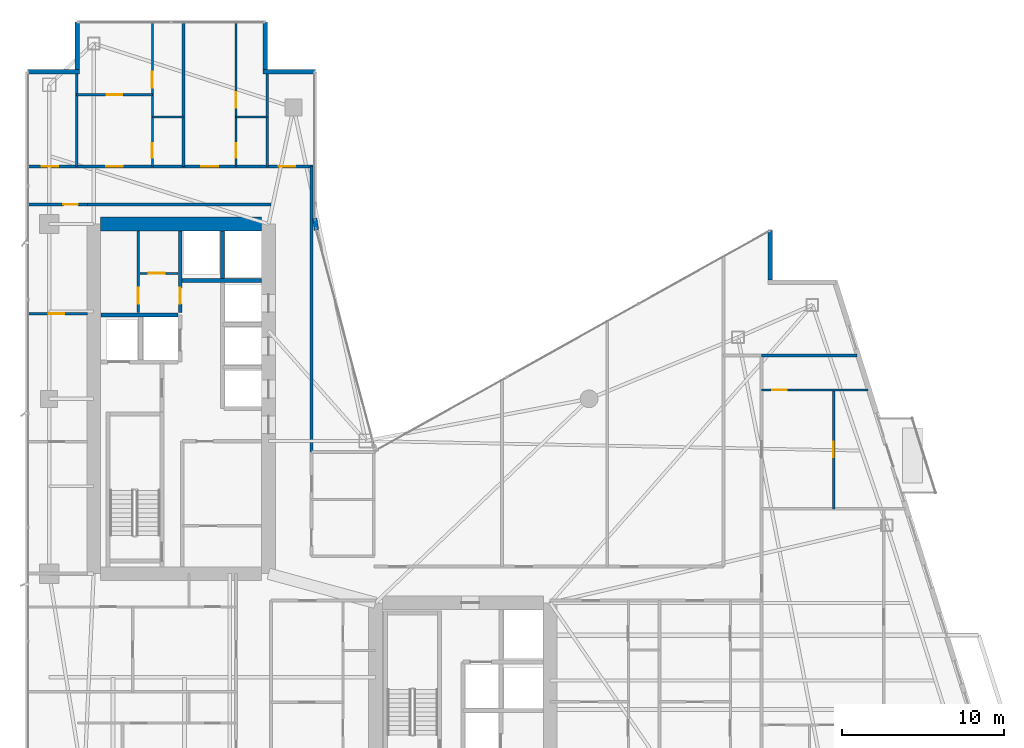
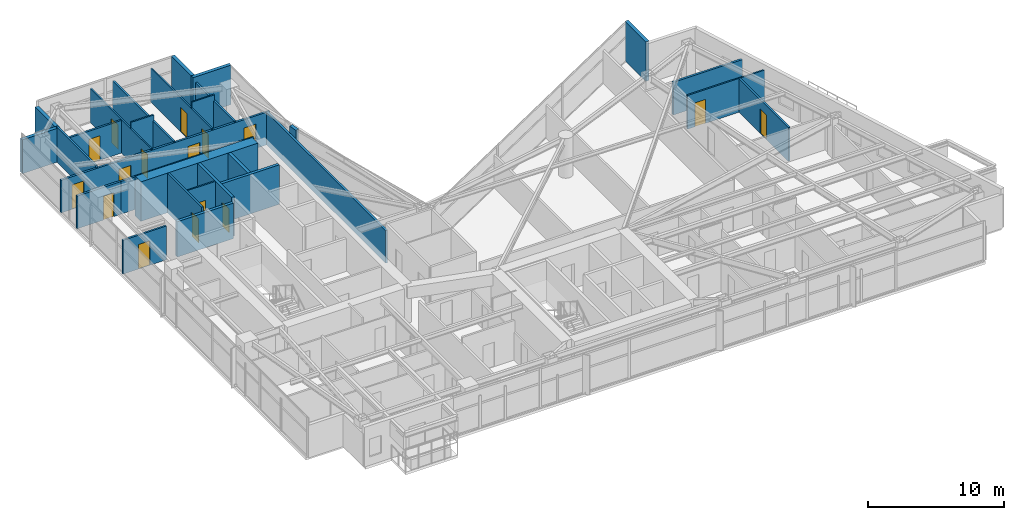
# One storey, part 25 of 29: 29 walls, 16 doors, 16 openings.
"""IFC4 building model written with IfcOpenShell, lengths in metres."""

from ifc_helpers import new_model, si_unit, direction, frame, frame_2d, origin, place, context, subcontext, project, spatial, rectangle, extrude, material, layer, layer_set, type_object, element, fill, save


model = new_model("IFC4")

# Units and contexts
model_context = context("Model", 3, precision=1e-05, world=origin(), true_north=direction((0.0, 1.0)))
body_context = subcontext(model_context, "Body", "Model", "MODEL_VIEW")
ifc_project = project(units=[si_unit("LENGTHUNIT", "METRE"), si_unit("AREAUNIT", "SQUARE_METRE"), si_unit("VOLUMEUNIT", "CUBIC_METRE"), si_unit("PLANEANGLEUNIT", "RADIAN"), si_unit("MASSUNIT", "GRAM", prefix="KILO")], contexts=[model_context])

# Site, building, storey
site_placement = place(None, origin())
site = spatial("IfcSite", under=ifc_project, at=site_placement, CompositionType="ELEMENT")
building_placement = place(site_placement, origin())
building = spatial("IfcBuilding", under=site, at=building_placement, Name="Calvorn Quay Hotel", CompositionType="ELEMENT")
storey_placement = place(building_placement, frame((0.0, 0.0, 163.699951171875)))
storey = spatial("IfcBuildingStorey", under=building, at=storey_placement, Name="L40", CompositionType="ELEMENT", Elevation=163.699951171875)

# Wall
ifc_material_1 = material(Name="Concrete C50", Category="concrete")
ifc_layer_1 = layer(ifc_material_1, 0.85009765625)
ifc_layer_set_1 = layer_set([ifc_layer_1], Name="WL-CORE-850")
wall_type_1 = type_object("IfcWallType", Name="WL-CORE-850", PredefinedType="SHEAR", material=ifc_layer_set_1)
wall_1_placement = place(storey_placement, frame((4.625, 38.39990234375, 0.0), z_axis=(0.0, 0.0, 1.0), x_axis=(1.0, 0.0, 0.0)))
element("IfcWall", 1, at=wall_1_placement, inside=storey, type_object=wall_type_1, Name="West Core Shear Wall N (L40)", PredefinedType="SHEAR", context=body_context, shape_type="SweptSolid", body=[
    extrude(rectangle(XDim=9.949951171875, YDim=0.85009765625, at=frame_2d((4.97509765625, 0.0))), origin(), (0.0, 0.0, 1.0), 3.56005859375),
])

# Wall, opening, door
ifc_material_2 = material(Name="Acoustic Fireboard Steel-Stud Partition", Category="steel")
ifc_layer_2 = layer(ifc_material_2, 0.179931640625)
ifc_layer_set_2 = layer_set([ifc_layer_2], Name="WL-CORR-FIRE-180")
wall_type_2 = type_object("IfcWallType", Name="WL-CORR-FIRE-180", PredefinedType="PARTITIONING", material=ifc_layer_set_2)
wall_2_placement = place(storey_placement, frame((0.080078125, 39.60009765625, 0.0), z_axis=(0.0, 0.0, 1.0), x_axis=(1.0, 0.0, 0.0)))
wall_2 = element("IfcWall", 2, at=wall_2_placement, inside=storey, type_object=wall_type_2, Name="Partition Wall L40-WL-WBAY-N-DOOR", PredefinedType="PARTITIONING", context=body_context, shape_type="SweptSolid", body=[
    extrude(rectangle(XDim=3.724853515625, YDim=0.179931640625, at=frame_2d((1.8623046875, 0.0))), origin(), (0.0, 0.0, 1.0), 2.93994140625),
])
opening_1_placement = place(wall_2_placement, frame((2.25, 0.0, 0.0)))
opening_1 = element("IfcOpeningElement", 3, at=opening_1_placement, cuts=wall_2, Name="Opening D-L40-WBN", PredefinedType="OPENING", context=body_context, shape_type="SweptSolid", body=[
    extrude(rectangle(XDim=0.89990234375, YDim=2.14990234375, at=frame_2d((0.449951171875, 1.074951171875))), frame((0.0, 0.099853515625, 0.0), z_axis=(0.0, -1.0, 0.0), x_axis=(1.0, 0.0, 0.0)), (0.0, 0.0, 1.0), 0.199951171875),
])
ifc_material_3 = material(Name="Moisture-Sealed Timber En-Suite Door", Category="wood")
door_type_1 = type_object("IfcDoorType", Name="DR-ENSUITE-900", OperationType="NOTDEFINED", PredefinedType="DOOR", material=ifc_material_3)
door_1_placement = place(opening_1_placement, origin())
door_1 = element("IfcDoor", 4, at=door_1_placement, inside=storey, type_object=door_type_1, Name="West North Bay Door (L40)", OperationType="SINGLE_SWING_LEFT", OverallHeight=2.14990234375, OverallWidth=0.89990234375, PredefinedType="DOOR", context=body_context, shape_type="SweptSolid", body=[
    extrude(rectangle(XDim=0.89990234375, YDim=2.14990234375, at=frame_2d((0.449951171875, 1.074951171875))), frame((0.0, 0.02490234375, 0.0), z_axis=(0.0, -1.0, 0.0), x_axis=(1.0, 0.0, 0.0)), (0.0, 0.0, 1.0), 0.050048828125),
])
fill(opening_1, door_1)

# Wall, openings, doors
wall_3_placement = place(storey_placement, frame((0.080078125, 41.949951171875, 0.0), z_axis=(0.0, 0.0, 1.0), x_axis=(1.0, 0.0, 0.0)))
wall_3 = element("IfcWall", 5, at=wall_3_placement, inside=storey, type_object=wall_type_2, Name="Partition Wall L40-WL-CORR-NW-N", PredefinedType="PARTITIONING", context=body_context, shape_type="SweptSolid", body=[
    extrude(rectangle(XDim=17.77001953125, YDim=0.179931640625, at=frame_2d((8.885009765625, 0.0))), origin(), (0.0, 0.0, 1.0), 2.93994140625),
])
opening_2_placement = place(wall_3_placement, frame((0.89990234375, 0.0, 0.0)))
opening_2 = element("IfcOpeningElement", 6, at=opening_2_placement, cuts=wall_3, Name="Opening D-L40-NWW", PredefinedType="OPENING", context=body_context, shape_type="SweptSolid", body=[
    extrude(rectangle(XDim=1.02001953125, YDim=2.199951171875, at=frame_2d((0.510009765625, 1.10009765625))), frame((0.0, 0.099853515625, 0.0), z_axis=(0.0, -1.0, 0.0), x_axis=(1.0, 0.0, 0.0)), (0.0, 0.0, 1.0), 0.199951171875),
])
opening_3_placement = place(wall_3_placement, frame((4.89990234375, 0.0, 0.0)))
opening_3 = element("IfcOpeningElement", 7, at=opening_3_placement, cuts=wall_3, Name="Opening D-L40-U04", PredefinedType="OPENING", context=body_context, shape_type="SweptSolid", body=[
    extrude(rectangle(XDim=1.02001953125, YDim=2.199951171875, at=frame_2d((0.510009765625, 1.10009765625))), frame((0.0, 0.099853515625, 0.0), z_axis=(0.0, -1.0, 0.0), x_axis=(1.0, 0.0, 0.0)), (0.0, 0.0, 1.0), 0.199951171875),
])
opening_4_placement = place(wall_3_placement, frame((10.780029296875, 0.0, 0.0)))
opening_4 = element("IfcOpeningElement", 8, at=opening_4_placement, cuts=wall_3, Name="Opening D-L40-U05", PredefinedType="OPENING", context=body_context, shape_type="SweptSolid", body=[
    extrude(rectangle(XDim=1.02001953125, YDim=2.199951171875, at=frame_2d((0.510009765625, 1.10009765625))), frame((0.0, 0.099853515625, 0.0), z_axis=(0.0, -1.0, 0.0), x_axis=(1.0, 0.0, 0.0)), (0.0, 0.0, 1.0), 0.199951171875),
])
opening_5_placement = place(wall_3_placement, frame((15.550048828125, 0.0, 0.0)))
opening_5 = element("IfcOpeningElement", 9, at=opening_5_placement, cuts=wall_3, Name="Opening D-L40-NWE", PredefinedType="OPENING", context=body_context, shape_type="SweptSolid", body=[
    extrude(rectangle(XDim=1.02001953125, YDim=2.199951171875, at=frame_2d((0.510009765625, 1.10009765625))), frame((0.0, 0.099853515625, 0.0), z_axis=(0.0, -1.0, 0.0), x_axis=(1.0, 0.0, 0.0)), (0.0, 0.0, 1.0), 0.199951171875),
])
ifc_material_4 = material(Name="Solid-Core Walnut Veneer Hotel Fire Door")
door_type_2 = type_object("IfcDoorType", Name="DR-GUEST-ENTRY-1020", OperationType="NOTDEFINED", PredefinedType="DOOR", material=ifc_material_4)
door_2_placement = place(opening_2_placement, origin())
door_2 = element("IfcDoor", 10, at=door_2_placement, inside=storey, type_object=door_type_2, Name="West Corner Study Door (L40)", OperationType="SINGLE_SWING_LEFT", OverallHeight=2.199951171875, OverallWidth=1.02001953125, PredefinedType="DOOR", context=body_context, shape_type="SweptSolid", body=[
    extrude(rectangle(XDim=1.02001953125, YDim=2.199951171875, at=frame_2d((0.510009765625, 1.10009765625))), frame((0.0, 0.02490234375, 0.0), z_axis=(0.0, -1.0, 0.0), x_axis=(1.0, 0.0, 0.0)), (0.0, 0.0, 1.0), 0.050048828125),
])
fill(opening_2, door_2)
door_3_placement = place(opening_3_placement, origin())
door_3 = element("IfcDoor", 11, at=door_3_placement, inside=storey, type_object=door_type_2, Name="North-West Unit Door U04 (L40)", OperationType="SINGLE_SWING_RIGHT", OverallHeight=2.199951171875, OverallWidth=1.02001953125, PredefinedType="DOOR", context=body_context, shape_type="SweptSolid", body=[
    extrude(rectangle(XDim=1.02001953125, YDim=2.199951171875, at=frame_2d((0.510009765625, 1.10009765625))), frame((0.0, 0.02490234375, 0.0), z_axis=(0.0, -1.0, 0.0), x_axis=(1.0, 0.0, 0.0)), (0.0, 0.0, 1.0), 0.050048828125),
])
fill(opening_3, door_3)
door_4_placement = place(opening_4_placement, origin())
door_4 = element("IfcDoor", 12, at=door_4_placement, inside=storey, type_object=door_type_2, Name="North-West Unit Door U05 (L40)", OperationType="SINGLE_SWING_LEFT", OverallHeight=2.199951171875, OverallWidth=1.02001953125, PredefinedType="DOOR", context=body_context, shape_type="SweptSolid", body=[
    extrude(rectangle(XDim=1.02001953125, YDim=2.199951171875, at=frame_2d((0.510009765625, 1.10009765625))), frame((0.0, 0.02490234375, 0.0), z_axis=(0.0, -1.0, 0.0), x_axis=(1.0, 0.0, 0.0)), (0.0, 0.0, 1.0), 0.050048828125),
])
fill(opening_4, door_4)
door_5_placement = place(opening_5_placement, origin())
door_5 = element("IfcDoor", 13, at=door_5_placement, inside=storey, type_object=door_type_2, Name="Inner Court Study Door (L40)", OperationType="SINGLE_SWING_RIGHT", OverallHeight=2.199951171875, OverallWidth=1.02001953125, PredefinedType="DOOR", context=body_context, shape_type="SweptSolid", body=[
    extrude(rectangle(XDim=1.02001953125, YDim=2.199951171875, at=frame_2d((0.510009765625, 1.10009765625))), frame((0.0, 0.02490234375, 0.0), z_axis=(0.0, -1.0, 0.0), x_axis=(1.0, 0.0, 0.0)), (0.0, 0.0, 1.0), 0.050048828125),
])
fill(opening_5, door_5)

# Walls
wall_4_placement = place(storey_placement, frame((17.64990234375, 24.300048828125, 0.0), z_axis=(0.0, 0.0, 1.0), x_axis=(0.0, 1.0, 0.0)))
element("IfcWall", 14, at=wall_4_placement, inside=storey, type_object=wall_type_2, Name="Partition Wall L40-WL-NW-CLOSURE-E", PredefinedType="PARTITIONING", context=body_context, shape_type="SweptSolid", body=[
    extrude(rectangle(XDim=17.64990234375, YDim=0.179931640625, at=frame_2d((8.824951171875, 0.0))), origin(), (0.0, 0.0, 1.0), 2.93994140625),
])
wall_5_placement = place(storey_placement, frame((3.7548828125, 39.60009765625, 0.0), z_axis=(0.0, 0.0, 1.0), x_axis=(1.0, 0.0, 0.0)))
element("IfcWall", 15, at=wall_5_placement, inside=storey, type_object=wall_type_2, Name="Partition Wall L40-WL-W-SPUR-S", PredefinedType="PARTITIONING", context=body_context, shape_type="SweptSolid", body=[
    extrude(rectangle(XDim=11.39501953125, YDim=0.179931640625, at=frame_2d((5.697509765625, 0.0))), origin(), (0.0, 0.0, 1.0), 2.93994140625),
])
wall_6_placement = place(storey_placement, frame((45.449951171875, 30.280029296875, 0.0), z_axis=(0.0, 0.0, 1.0), x_axis=(1.0, 0.0, 0.0)))
element("IfcWall", 16, at=wall_6_placement, inside=storey, type_object=wall_type_2, Name="Partition Wall L40-WL-TIP-N", PredefinedType="PARTITIONING", context=body_context, shape_type="SweptSolid", body=[
    extrude(rectangle(XDim=5.91015625, YDim=0.179931640625, at=frame_2d((2.955078125, 0.0))), origin(), (0.0, 0.0, 1.0), 2.93994140625),
])

# Wall, opening, door
ifc_material_5 = material(Name="Moisture-Resistant Tile-Backed Partition")
ifc_layer_3 = layer(ifc_material_5, 0.125)
ifc_layer_set_3 = layer_set([ifc_layer_3], Name="WL-ENSUITE-125")
wall_type_3 = type_object("IfcWallType", Name="WL-ENSUITE-125", PredefinedType="PARTITIONING", material=ifc_layer_set_3)
wall_7_placement = place(storey_placement, frame((7.050048828125, 35.35009765625, 0.0), z_axis=(0.0, 0.0, 1.0), x_axis=(1.0, 0.0, 0.0)))
wall_7 = element("IfcWall", 17, at=wall_7_placement, inside=storey, type_object=wall_type_3, Name="Partition Wall L40-WL-CWW-K-H", PredefinedType="PARTITIONING", context=body_context, shape_type="SweptSolid", body=[
    extrude(rectangle(XDim=2.369873046875, YDim=0.125, at=frame_2d((1.18505859375, 0.0))), origin(), (0.0, 0.0, 1.0), 3.56005859375),
])
opening_6_placement = place(wall_7_placement, frame((0.550048828125, 0.0, 0.0)))
opening_6 = element("IfcOpeningElement", 18, at=opening_6_placement, cuts=wall_7, Name="Opening D-L40-CK3", PredefinedType="OPENING", context=body_context, shape_type="SweptSolid", body=[
    extrude(rectangle(XDim=0.97998046875, YDim=2.14990234375, at=frame_2d((0.489990234375, 1.074951171875))), frame((0.0, 0.072509765625, 0.0), z_axis=(0.0, -1.0, 0.0), x_axis=(1.0, 0.0, 0.0)), (0.0, 0.0, 1.0), 0.14501953125),
])
ifc_material_6 = material(Name="Painted Steel Housekeeping/Riser Fire Door", Category="steel")
door_type_3 = type_object("IfcDoorType", Name="DR-SERVICE-980", OperationType="NOTDEFINED", PredefinedType="DOOR", material=ifc_material_6)
door_6_placement = place(opening_6_placement, origin())
door_6 = element("IfcDoor", 19, at=door_6_placement, inside=storey, type_object=door_type_3, Name="Telecom Closet Door (L40)", OperationType="SINGLE_SWING_RIGHT", OverallHeight=2.14990234375, OverallWidth=0.97998046875, PredefinedType="DOOR", context=body_context, shape_type="SweptSolid", body=[
    extrude(rectangle(XDim=0.97998046875, YDim=2.14990234375, at=frame_2d((0.489990234375, 1.074951171875))), frame((0.0, 0.02490234375, 0.0), z_axis=(0.0, -1.0, 0.0), x_axis=(1.0, 0.0, 0.0)), (0.0, 0.0, 1.0), 0.050048828125),
])
fill(opening_6, door_6)

# Wall
wall_8_placement = place(storey_placement, frame((7.820068359375, 45.02001953125, 0.0), z_axis=(0.0, 0.0, 1.0), x_axis=(1.0, 0.0, 0.0)))
element("IfcWall", 20, at=wall_8_placement, inside=storey, type_object=wall_type_3, Name="Partition Wall L40-WL-U04-BDV", PredefinedType="PARTITIONING", context=body_context, shape_type="SweptSolid", body=[
    extrude(rectangle(XDim=1.929931640625, YDim=0.125, at=frame_2d((0.96484375, 0.0))), origin(), (0.0, 0.0, 1.0), 3.56005859375),
])

# Wall, openings, doors
wall_9_placement = place(storey_placement, frame((7.820068359375, 41.949951171875, 0.0), z_axis=(0.0, 0.0, 1.0), x_axis=(0.0, 1.0, 0.0)))
wall_9 = element("IfcWall", 21, at=wall_9_placement, inside=storey, type_object=wall_type_3, Name="Partition Wall L40-WL-U04-BV", PredefinedType="PARTITIONING", context=body_context, shape_type="SweptSolid", body=[
    extrude(rectangle(XDim=8.989990234375, YDim=0.125, at=frame_2d((4.4951171875, 0.0))), origin(), (0.0, 0.0, 1.0), 3.0400390625),
])
opening_7_placement = place(wall_9_placement, frame((0.550048828125, 0.0, 0.0)))
opening_7 = element("IfcOpeningElement", 22, at=opening_7_placement, cuts=wall_9, Name="Opening D-L40-E04", PredefinedType="OPENING", context=body_context, shape_type="SweptSolid", body=[
    extrude(rectangle(XDim=0.89990234375, YDim=2.14990234375, at=frame_2d((0.449951171875, 1.074951171875))), frame((0.0, 0.072509765625, 0.0), z_axis=(0.0, -1.0, 0.0), x_axis=(1.0, 0.0, 0.0)), (0.0, 0.0, 1.0), 0.14501953125),
])
opening_8_placement = place(wall_9_placement, frame((4.8798828125, 0.0, 0.0)))
opening_8 = element("IfcOpeningElement", 23, at=opening_8_placement, cuts=wall_9, Name="Opening D-L40-S04", PredefinedType="OPENING", context=body_context, shape_type="SweptSolid", body=[
    extrude(rectangle(XDim=0.9599609375, YDim=2.199951171875, at=frame_2d((0.47998046875, 1.10009765625))), frame((0.0, 0.072509765625, 0.0), z_axis=(0.0, -1.0, 0.0), x_axis=(1.0, 0.0, 0.0)), (0.0, 0.0, 1.0), 0.14501953125),
])
door_7_placement = place(opening_7_placement, origin())
door_7 = element("IfcDoor", 24, at=door_7_placement, inside=storey, type_object=door_type_1, Name="En-Suite Door 04", OperationType="SINGLE_SWING_LEFT", OverallHeight=2.14990234375, OverallWidth=0.89990234375, PredefinedType="DOOR", context=body_context, shape_type="SweptSolid", body=[
    extrude(rectangle(XDim=0.89990234375, YDim=2.14990234375, at=frame_2d((0.449951171875, 1.074951171875))), frame((0.0, 0.02490234375, 0.0), z_axis=(0.0, -1.0, 0.0), x_axis=(1.0, 0.0, 0.0)), (0.0, 0.0, 1.0), 0.050048828125),
])
fill(opening_7, door_7)
ifc_material_7 = material(Name="Solid Timber Internal Suite Door", Category="wood")
door_type_4 = type_object("IfcDoorType", Name="DR-SUITE-INT-960", OperationType="NOTDEFINED", PredefinedType="DOOR", material=ifc_material_7)
door_8_placement = place(opening_8_placement, origin())
door_8 = element("IfcDoor", 25, at=door_8_placement, inside=storey, type_object=door_type_4, Name="Botanical Winter Garden Door 04", OperationType="SINGLE_SWING_RIGHT", OverallHeight=2.199951171875, OverallWidth=0.9599609375, PredefinedType="DOOR", context=body_context, shape_type="SweptSolid", body=[
    extrude(rectangle(XDim=0.9599609375, YDim=2.199951171875, at=frame_2d((0.47998046875, 1.10009765625))), frame((0.0, 0.02490234375, 0.0), z_axis=(0.0, -1.0, 0.0), x_axis=(1.0, 0.0, 0.0)), (0.0, 0.0, 1.0), 0.050048828125),
])
fill(opening_8, door_8)

# Wall
wall_10_placement = place(storey_placement, frame((12.989990234375, 45.02001953125, 0.0), z_axis=(0.0, 0.0, 1.0), x_axis=(1.0, 0.0, 0.0)))
element("IfcWall", 26, at=wall_10_placement, inside=storey, type_object=wall_type_3, Name="Partition Wall L40-WL-U05-BDV", PredefinedType="PARTITIONING", context=body_context, shape_type="SweptSolid", body=[
    extrude(rectangle(XDim=1.929931640625, YDim=0.125, at=frame_2d((0.96484375, 0.0))), origin(), (0.0, 0.0, 1.0), 3.56005859375),
])

# Wall, openings, doors
wall_11_placement = place(storey_placement, frame((12.989990234375, 41.949951171875, 0.0), z_axis=(0.0, 0.0, 1.0), x_axis=(0.0, 1.0, 0.0)))
wall_11 = element("IfcWall", 27, at=wall_11_placement, inside=storey, type_object=wall_type_3, Name="Partition Wall L40-WL-U05-BV", PredefinedType="PARTITIONING", context=body_context, shape_type="SweptSolid", body=[
    extrude(rectangle(XDim=8.989990234375, YDim=0.125, at=frame_2d((4.4951171875, 0.0))), origin(), (0.0, 0.0, 1.0), 3.0400390625),
])
opening_9_placement = place(wall_11_placement, frame((0.550048828125, 0.0, 0.0)))
opening_9 = element("IfcOpeningElement", 28, at=opening_9_placement, cuts=wall_11, Name="Opening D-L40-E05", PredefinedType="OPENING", context=body_context, shape_type="SweptSolid", body=[
    extrude(rectangle(XDim=0.89990234375, YDim=2.14990234375, at=frame_2d((0.449951171875, 1.074951171875))), frame((0.0, 0.072509765625, 0.0), z_axis=(0.0, -1.0, 0.0), x_axis=(1.0, 0.0, 0.0)), (0.0, 0.0, 1.0), 0.14501953125),
])
opening_10_placement = place(wall_11_placement, frame((3.6201171875, 0.0, 0.0)))
opening_10 = element("IfcOpeningElement", 29, at=opening_10_placement, cuts=wall_11, Name="Opening D-L40-S05", PredefinedType="OPENING", context=body_context, shape_type="SweptSolid", body=[
    extrude(rectangle(XDim=0.9599609375, YDim=2.199951171875, at=frame_2d((0.47998046875, 1.10009765625))), frame((0.0, 0.072509765625, 0.0), z_axis=(0.0, -1.0, 0.0), x_axis=(1.0, 0.0, 0.0)), (0.0, 0.0, 1.0), 0.14501953125),
])
door_9_placement = place(opening_9_placement, origin())
door_9 = element("IfcDoor", 30, at=door_9_placement, inside=storey, type_object=door_type_1, Name="En-Suite Door 05", OperationType="SINGLE_SWING_LEFT", OverallHeight=2.14990234375, OverallWidth=0.89990234375, PredefinedType="DOOR", context=body_context, shape_type="SweptSolid", body=[
    extrude(rectangle(XDim=0.89990234375, YDim=2.14990234375, at=frame_2d((0.449951171875, 1.074951171875))), frame((0.0, 0.02490234375, 0.0), z_axis=(0.0, -1.0, 0.0), x_axis=(1.0, 0.0, 0.0)), (0.0, 0.0, 1.0), 0.050048828125),
])
fill(opening_9, door_9)
door_10_placement = place(opening_10_placement, origin())
door_10 = element("IfcDoor", 31, at=door_10_placement, inside=storey, type_object=door_type_4, Name="Botanical Winter Garden Door 05", OperationType="SINGLE_SWING_RIGHT", OverallHeight=2.199951171875, OverallWidth=0.9599609375, PredefinedType="DOOR", context=body_context, shape_type="SweptSolid", body=[
    extrude(rectangle(XDim=0.9599609375, YDim=2.199951171875, at=frame_2d((0.47998046875, 1.10009765625))), frame((0.0, 0.02490234375, 0.0), z_axis=(0.0, -1.0, 0.0), x_axis=(1.0, 0.0, 0.0)), (0.0, 0.0, 1.0), 0.050048828125),
])
fill(opening_10, door_10)

# Wall, opening, door
wall_12_placement = place(storey_placement, frame((45.449951171875, 28.14990234375, 0.0), z_axis=(0.0, 0.0, 1.0), x_axis=(1.0, 0.0, 0.0)))
wall_12 = element("IfcWall", 32, at=wall_12_placement, inside=storey, type_object=wall_type_3, Name="Partition Wall L40-WL-U09-BH", PredefinedType="PARTITIONING", context=body_context, shape_type="SweptSolid", body=[
    extrude(rectangle(XDim=6.580078125, YDim=0.125, at=frame_2d((3.2900390625, 0.0))), origin(), (0.0, 0.0, 1.0), 3.0400390625),
])
opening_11_placement = place(wall_12_placement, frame((0.64990234375, 0.0, 0.0)))
opening_11 = element("IfcOpeningElement", 33, at=opening_11_placement, cuts=wall_12, Name="Opening D-L40-E09", PredefinedType="OPENING", context=body_context, shape_type="SweptSolid", body=[
    extrude(rectangle(XDim=0.89990234375, YDim=2.14990234375, at=frame_2d((0.449951171875, 1.074951171875))), frame((0.0, 0.072509765625, 0.0), z_axis=(0.0, -1.0, 0.0), x_axis=(1.0, 0.0, 0.0)), (0.0, 0.0, 1.0), 0.14501953125),
])
door_11_placement = place(opening_11_placement, origin())
door_11 = element("IfcDoor", 34, at=door_11_placement, inside=storey, type_object=door_type_1, Name="En-Suite Door 09", OperationType="SINGLE_SWING_LEFT", OverallHeight=2.14990234375, OverallWidth=0.89990234375, PredefinedType="DOOR", context=body_context, shape_type="SweptSolid", body=[
    extrude(rectangle(XDim=0.89990234375, YDim=2.14990234375, at=frame_2d((0.449951171875, 1.074951171875))), frame((0.0, 0.02490234375, 0.0), z_axis=(0.0, -1.0, 0.0), x_axis=(1.0, 0.0, 0.0)), (0.0, 0.0, 1.0), 0.050048828125),
])
fill(opening_11, door_11)

# Walls
ifc_material_8 = material(Name="Concrete C40", Category="concrete")
ifc_layer_4 = layer(ifc_material_8, 0.320068359375)
ifc_layer_set_4 = layer_set([ifc_layer_4], Name="WL-EXT-SPANDREL-320")
wall_type_4 = type_object("IfcWallType", Name="WL-EXT-SPANDREL-320", PredefinedType="SOLIDWALL", material=ifc_layer_set_4)
wall_13_placement = place(storey_placement, frame((17.9619140625, 38.030029296875, 0.0), z_axis=(0.0, 0.0, 1.0), x_axis=(-0.15141125477, 0.988470855377, 0.0)))
element("IfcWall", 35, at=wall_13_placement, inside=storey, type_object=wall_type_4, Name="Inner Court Corner Pier L40-ICJ2", PredefinedType="SOLIDWALL", context=body_context, shape_type="SweptSolid", body=[
    extrude(rectangle(XDim=0.738525390625, YDim=0.280029296875, at=frame_2d((0.369140625, 0.0))), origin(), (0.0, 0.0, 1.0), 3.56005859375),
])
wall_14_placement = place(storey_placement, frame((46.0, 34.93994140625, 0.0), z_axis=(0.0, 0.0, 1.0), x_axis=(0.0, 1.0, 0.0)))
element("IfcWall", 36, at=wall_14_placement, inside=storey, type_object=wall_type_4, Name="Notched Corner Spandrel L40-NE2", PredefinedType="SOLIDWALL", context=body_context, shape_type="SweptSolid", body=[
    extrude(rectangle(XDim=3.10009765625, YDim=0.280029296875, at=frame_2d((1.550048828125, 0.0))), origin(), (0.0, 0.0, 1.0), 3.56005859375),
])
wall_15_placement = place(storey_placement, frame((17.89990234375, 47.800048828125, 0.0), z_axis=(0.0, 0.0, 1.0), x_axis=(-1.0, 0.0, 0.0)))
element("IfcWall", 37, at=wall_15_placement, inside=storey, type_object=wall_type_4, Name="Notched Corner Spandrel L40-NWE1", PredefinedType="SOLIDWALL", context=body_context, shape_type="SweptSolid", body=[
    extrude(rectangle(XDim=3.239990234375, YDim=0.280029296875, at=frame_2d((1.6201171875, 0.0))), origin(), (0.0, 0.0, 1.0), 3.56005859375),
])
wall_16_placement = place(storey_placement, frame((14.800048828125, 47.93994140625, 0.0), z_axis=(0.0, 0.0, 1.0), x_axis=(0.0, 1.0, 0.0)))
element("IfcWall", 38, at=wall_16_placement, inside=storey, type_object=wall_type_4, Name="Notched Corner Spandrel L40-NWE2", PredefinedType="SOLIDWALL", context=body_context, shape_type="SweptSolid", body=[
    extrude(rectangle(XDim=2.93994140625, YDim=0.280029296875, at=frame_2d((1.469970703125, 0.0))), origin(), (0.0, 0.0, 1.0), 3.56005859375),
])
wall_17_placement = place(storey_placement, frame((3.199951171875, 50.8798828125, 0.0), z_axis=(0.0, 0.0, 1.0), x_axis=(0.0, -1.0, 0.0)))
element("IfcWall", 39, at=wall_17_placement, inside=storey, type_object=wall_type_4, Name="Notched Corner Spandrel L40-NW1", PredefinedType="SOLIDWALL", context=body_context, shape_type="SweptSolid", body=[
    extrude(rectangle(XDim=2.93994140625, YDim=0.280029296875, at=frame_2d((1.469970703125, 0.0))), origin(), (0.0, 0.0, 1.0), 3.0400390625),
])
wall_18_placement = place(storey_placement, frame((3.340087890625, 47.800048828125, 0.0), z_axis=(0.0, 0.0, 1.0), x_axis=(-1.0, 0.0, 0.0)))
element("IfcWall", 40, at=wall_18_placement, inside=storey, type_object=wall_type_4, Name="Notched Corner Spandrel L40-NW2", PredefinedType="SOLIDWALL", context=body_context, shape_type="SweptSolid", body=[
    extrude(rectangle(XDim=3.219970703125, YDim=0.280029296875, at=frame_2d((1.60986328125, 0.0))), origin(), (0.0, 0.0, 1.0), 3.0400390625),
])

# Wall, opening, door
ifc_material_9 = material(Name="Double-Stud Acoustic Gypsum Partition")
ifc_layer_5 = layer(ifc_material_9, 0.159912109375)
ifc_layer_set_5 = layer_set([ifc_layer_5], Name="WL-INTERSUITE-160")
wall_type_5 = type_object("IfcWallType", Name="WL-INTERSUITE-160", PredefinedType="PARTITIONING", material=ifc_layer_set_5)
wall_19_placement = place(storey_placement, frame((6.949951171875, 32.919921875, 0.0), z_axis=(0.0, 0.0, 1.0), x_axis=(0.0, 1.0, 0.0)))
wall_19 = element("IfcWall", 41, at=wall_19_placement, inside=storey, type_object=wall_type_5, Name="Partition Wall L40-WL-CWW-K-V", PredefinedType="PARTITIONING", context=body_context, shape_type="SweptSolid", body=[
    extrude(rectangle(XDim=5.03515625, YDim=0.159912109375, at=frame_2d((2.517578125, 0.0))), origin(), (0.0, 0.0, 1.0), 3.56005859375),
])
opening_12_placement = place(wall_19_placement, frame((0.550048828125, 0.0, 0.0)))
opening_12 = element("IfcOpeningElement", 42, at=opening_12_placement, cuts=wall_19, Name="Opening D-L40-CK1", PredefinedType="OPENING", context=body_context, shape_type="SweptSolid", body=[
    extrude(rectangle(XDim=0.97998046875, YDim=2.14990234375, at=frame_2d((0.489990234375, 1.074951171875))), frame((0.0, 0.08984375, 0.0), z_axis=(0.0, -1.0, 0.0), x_axis=(1.0, 0.0, 0.0)), (0.0, 0.0, 1.0), 0.179931640625),
])
door_12_placement = place(opening_12_placement, origin())
door_12 = element("IfcDoor", 43, at=door_12_placement, inside=storey, type_object=door_type_3, Name="Pipe Riser Door (L40)", OperationType="SINGLE_SWING_LEFT", OverallHeight=2.14990234375, OverallWidth=0.97998046875, PredefinedType="DOOR", context=body_context, shape_type="SweptSolid", body=[
    extrude(rectangle(XDim=0.97998046875, YDim=2.14990234375, at=frame_2d((0.489990234375, 1.074951171875))), frame((0.0, 0.02490234375, 0.0), z_axis=(0.0, -1.0, 0.0), x_axis=(1.0, 0.0, 0.0)), (0.0, 0.0, 1.0), 0.050048828125),
])
fill(opening_12, door_12)

wall_20_placement = place(storey_placement, frame((0.080078125, 32.85009765625, 0.0), z_axis=(0.0, 0.0, 1.0), x_axis=(1.0, 0.0, 0.0)))
wall_20 = element("IfcWall", 44, at=wall_20_placement, inside=storey, type_object=wall_type_5, Name="Partition Wall L40-WL-WBAY-DIVB", PredefinedType="PARTITIONING", context=body_context, shape_type="SweptSolid", body=[
    extrude(rectangle(XDim=3.724853515625, YDim=0.159912109375, at=frame_2d((1.8623046875, 0.0))), origin(), (0.0, 0.0, 1.0), 3.0400390625),
])
opening_13_placement = place(wall_20_placement, frame((1.35009765625, 0.0, 0.0)))
opening_13 = element("IfcOpeningElement", 45, at=opening_13_placement, cuts=wall_20, Name="Opening D-L40-WBB", PredefinedType="OPENING", context=body_context, shape_type="SweptSolid", body=[
    extrude(rectangle(XDim=0.9599609375, YDim=2.199951171875, at=frame_2d((0.47998046875, 1.10009765625))), frame((0.0, 0.08984375, 0.0), z_axis=(0.0, -1.0, 0.0), x_axis=(1.0, 0.0, 0.0)), (0.0, 0.0, 1.0), 0.179931640625),
])
door_13_placement = place(opening_13_placement, origin())
door_13 = element("IfcDoor", 46, at=door_13_placement, inside=storey, type_object=door_type_4, Name="West North Connecting Door (L40)", OperationType="SINGLE_SWING_RIGHT", OverallHeight=2.199951171875, OverallWidth=0.9599609375, PredefinedType="DOOR", context=body_context, shape_type="SweptSolid", body=[
    extrude(rectangle(XDim=0.9599609375, YDim=2.199951171875, at=frame_2d((0.47998046875, 1.10009765625))), frame((0.0, 0.02490234375, 0.0), z_axis=(0.0, -1.0, 0.0), x_axis=(1.0, 0.0, 0.0)), (0.0, 0.0, 1.0), 0.050048828125),
])
fill(opening_13, door_13)

# Walls
wall_21_placement = place(storey_placement, frame((3.14990234375, 41.949951171875, 0.0), z_axis=(0.0, 0.0, 1.0), x_axis=(0.0, 1.0, 0.0)))
element("IfcWall", 47, at=wall_21_placement, inside=storey, type_object=wall_type_5, Name="Partition Wall L40-WL-NW-DIV-W0", PredefinedType="PARTITIONING", context=body_context, shape_type="SweptSolid", body=[
    extrude(rectangle(XDim=5.85009765625, YDim=0.159912109375, at=frame_2d((2.925048828125, 0.0))), origin(), (0.0, 0.0, 1.0), 3.14013671875),
])
wall_22_placement = place(storey_placement, frame((14.919921875, 41.949951171875, 0.0), z_axis=(0.0, 0.0, 1.0), x_axis=(0.0, 1.0, 0.0)))
element("IfcWall", 48, at=wall_22_placement, inside=storey, type_object=wall_type_5, Name="Partition Wall L40-WL-NW-DIV-E0", PredefinedType="PARTITIONING", context=body_context, shape_type="SweptSolid", body=[
    extrude(rectangle(XDim=5.85009765625, YDim=0.159912109375, at=frame_2d((2.925048828125, 0.0))), origin(), (0.0, 0.0, 1.0), 3.0400390625),
])

# Wall, opening, door
wall_23_placement = place(storey_placement, frame((3.14990234375, 46.3798828125, 0.0), z_axis=(0.0, 0.0, 1.0), x_axis=(1.0, 0.0, 0.0)))
wall_23 = element("IfcWall", 49, at=wall_23_placement, inside=storey, type_object=wall_type_5, Name="Partition Wall L40-WL-U04-MSP", PredefinedType="PARTITIONING", context=body_context, shape_type="SweptSolid", body=[
    extrude(rectangle(XDim=4.670166015625, YDim=0.159912109375, at=frame_2d((2.3349609375, 0.0))), origin(), (0.0, 0.0, 1.0), 2.93994140625),
])
opening_14_placement = place(wall_23_placement, frame((1.85009765625, 0.0, 0.0)))
opening_14 = element("IfcOpeningElement", 50, at=opening_14_placement, cuts=wall_23, Name="Opening D-L40-M04", PredefinedType="OPENING", context=body_context, shape_type="SweptSolid", body=[
    extrude(rectangle(XDim=0.9599609375, YDim=2.199951171875, at=frame_2d((0.47998046875, 1.10009765625))), frame((0.0, 0.08984375, 0.0), z_axis=(0.0, -1.0, 0.0), x_axis=(1.0, 0.0, 0.0)), (0.0, 0.0, 1.0), 0.179931640625),
])
door_14_placement = place(opening_14_placement, origin())
door_14 = element("IfcDoor", 51, at=door_14_placement, inside=storey, type_object=door_type_4, Name="Suite Bedroom Door 04", OperationType="SINGLE_SWING_LEFT", OverallHeight=2.199951171875, OverallWidth=0.9599609375, PredefinedType="DOOR", context=body_context, shape_type="SweptSolid", body=[
    extrude(rectangle(XDim=0.9599609375, YDim=2.199951171875, at=frame_2d((0.47998046875, 1.10009765625))), frame((0.0, 0.02490234375, 0.0), z_axis=(0.0, -1.0, 0.0), x_axis=(1.0, 0.0, 0.0)), (0.0, 0.0, 1.0), 0.050048828125),
])
fill(opening_14, door_14)

# Wall
wall_24_placement = place(storey_placement, frame((9.75, 41.949951171875, 0.0), z_axis=(0.0, 0.0, 1.0), x_axis=(0.0, 1.0, 0.0)))
element("IfcWall", 52, at=wall_24_placement, inside=storey, type_object=wall_type_5, Name="Partition Wall L40-WL-NW-DIV-1", PredefinedType="PARTITIONING", context=body_context, shape_type="SweptSolid", body=[
    extrude(rectangle(XDim=8.989990234375, YDim=0.159912109375, at=frame_2d((4.4951171875, 0.0))), origin(), (0.0, 0.0, 1.0), 3.0400390625),
])

# Wall, opening, door
wall_25_placement = place(storey_placement, frame((49.89990234375, 20.800048828125, 0.0), z_axis=(0.0, 0.0, 1.0), x_axis=(0.0, 1.0, 0.0)))
wall_25 = element("IfcWall", 53, at=wall_25_placement, inside=storey, type_object=wall_type_5, Name="Partition Wall L40-WL-U09-MSP", PredefinedType="PARTITIONING", context=body_context, shape_type="SweptSolid", body=[
    extrude(rectangle(XDim=7.349853515625, YDim=0.159912109375, at=frame_2d((3.6748046875, 0.0))), origin(), (0.0, 0.0, 1.0), 3.0400390625),
])
opening_15_placement = place(wall_25_placement, frame((3.18994140625, 0.0, 0.0)))
opening_15 = element("IfcOpeningElement", 54, at=opening_15_placement, cuts=wall_25, Name="Opening D-L40-M09", PredefinedType="OPENING", context=body_context, shape_type="SweptSolid", body=[
    extrude(rectangle(XDim=0.9599609375, YDim=2.199951171875, at=frame_2d((0.47998046875, 1.10009765625))), frame((0.0, 0.08984375, 0.0), z_axis=(0.0, -1.0, 0.0), x_axis=(1.0, 0.0, 0.0)), (0.0, 0.0, 1.0), 0.179931640625),
])
door_15_placement = place(opening_15_placement, origin())
door_15 = element("IfcDoor", 55, at=door_15_placement, inside=storey, type_object=door_type_4, Name="Suite Bedroom Door 09", OperationType="SINGLE_SWING_LEFT", OverallHeight=2.199951171875, OverallWidth=0.9599609375, PredefinedType="DOOR", context=body_context, shape_type="SweptSolid", body=[
    extrude(rectangle(XDim=0.9599609375, YDim=2.199951171875, at=frame_2d((0.47998046875, 1.10009765625))), frame((0.0, 0.02490234375, 0.0), z_axis=(0.0, -1.0, 0.0), x_axis=(1.0, 0.0, 0.0)), (0.0, 0.0, 1.0), 0.050048828125),
])
fill(opening_15, door_15)

ifc_material_10 = material(Name="Autoclaved Aerated Masonry Block", Category="masonry")
ifc_layer_6 = layer(ifc_material_10, 0.219970703125)
ifc_layer_set_6 = layer_set([ifc_layer_6], Name="WL-LOBBY-FIRE-220")
wall_type_6 = type_object("IfcWallType", Name="WL-LOBBY-FIRE-220", PredefinedType="SOLIDWALL", material=ifc_layer_set_6)
wall_26_placement = place(storey_placement, frame((9.5400390625, 32.919921875, 0.0), z_axis=(0.0, 0.0, 1.0), x_axis=(0.0, 1.0, 0.0)))
wall_26 = element("IfcWall", 56, at=wall_26_placement, inside=storey, type_object=wall_type_6, Name="Partition Wall L40-WL-CWW-K-E", PredefinedType="SOLIDWALL", context=body_context, shape_type="SweptSolid", body=[
    extrude(rectangle(XDim=5.03515625, YDim=0.219970703125, at=frame_2d((2.517578125, 0.0))), origin(), (0.0, 0.0, 1.0), 3.56005859375),
])
opening_16_placement = place(wall_26_placement, frame((0.550048828125, 0.0, 0.0)))
opening_16 = element("IfcOpeningElement", 57, at=opening_16_placement, cuts=wall_26, Name="Opening D-L40-CK2", PredefinedType="OPENING", context=body_context, shape_type="SweptSolid", body=[
    extrude(rectangle(XDim=0.97998046875, YDim=2.14990234375, at=frame_2d((0.489990234375, 1.074951171875))), frame((0.0, 0.119873046875, 0.0), z_axis=(0.0, -1.0, 0.0), x_axis=(1.0, 0.0, 0.0)), (0.0, 0.0, 1.0), 0.239990234375),
])
door_16_placement = place(opening_16_placement, origin())
door_16 = element("IfcDoor", 58, at=door_16_placement, inside=storey, type_object=door_type_3, Name="Valet Closet Door (L40)", OperationType="SINGLE_SWING_LEFT", OverallHeight=2.14990234375, OverallWidth=0.97998046875, PredefinedType="DOOR", context=body_context, shape_type="SweptSolid", body=[
    extrude(rectangle(XDim=0.97998046875, YDim=2.14990234375, at=frame_2d((0.489990234375, 1.074951171875))), frame((0.0, 0.02490234375, 0.0), z_axis=(0.0, -1.0, 0.0), x_axis=(1.0, 0.0, 0.0)), (0.0, 0.0, 1.0), 0.050048828125),
])
fill(opening_16, door_16)

# Walls
ifc_material_11 = material(Name="Concrete C40", Category="concrete")
ifc_layer_7 = layer(ifc_material_11, 0.239990234375)
ifc_layer_set_7 = layer_set([ifc_layer_7], Name="WL-SHAFT-240")
wall_type_7 = type_object("IfcWallType", Name="WL-SHAFT-240", PredefinedType="SOLIDWALL", material=ifc_layer_set_7)
wall_27_placement = place(storey_placement, frame((4.64501953125, 32.780029296875, 0.0), z_axis=(0.0, 0.0, 1.0), x_axis=(1.0, 0.0, 0.0)))
element("IfcWall", 59, at=wall_27_placement, inside=storey, type_object=wall_type_7, Name="Partition Wall L40-WL-CWW-SLW-N", PredefinedType="SOLIDWALL", context=body_context, shape_type="SweptSolid", body=[
    extrude(rectangle(XDim=4.77490234375, YDim=0.239990234375, at=frame_2d((2.387451171875, 0.0))), origin(), (0.0, 0.0, 1.0), 3.18994140625),
])
wall_28_placement = place(storey_placement, frame((9.659912109375, 34.89990234375, 0.0), z_axis=(0.0, 0.0, 1.0), x_axis=(1.0, 0.0, 0.0)))
element("IfcWall", 60, at=wall_28_placement, inside=storey, type_object=wall_type_7, Name="Partition Wall L40-WL-CWW-PLH-S", PredefinedType="SOLIDWALL", context=body_context, shape_type="SweptSolid", body=[
    extrude(rectangle(XDim=4.89501953125, YDim=0.239990234375, at=frame_2d((2.447509765625, 0.0))), origin(), (0.0, 0.0, 1.0), 3.56005859375),
])
wall_29_placement = place(storey_placement, frame((12.14990234375, 35.02001953125, 0.0), z_axis=(0.0, 0.0, 1.0), x_axis=(0.0, 1.0, 0.0)))
element("IfcWall", 61, at=wall_29_placement, inside=storey, type_object=wall_type_7, Name="Partition Wall L40-WL-CWW-PLH-DIV", PredefinedType="SOLIDWALL", context=body_context, shape_type="SweptSolid", body=[
    extrude(rectangle(XDim=2.93505859375, YDim=0.239990234375, at=frame_2d((1.467529296875, 0.0))), origin(), (0.0, 0.0, 1.0), 3.56005859375),
])

save(model, "model.ifc")
